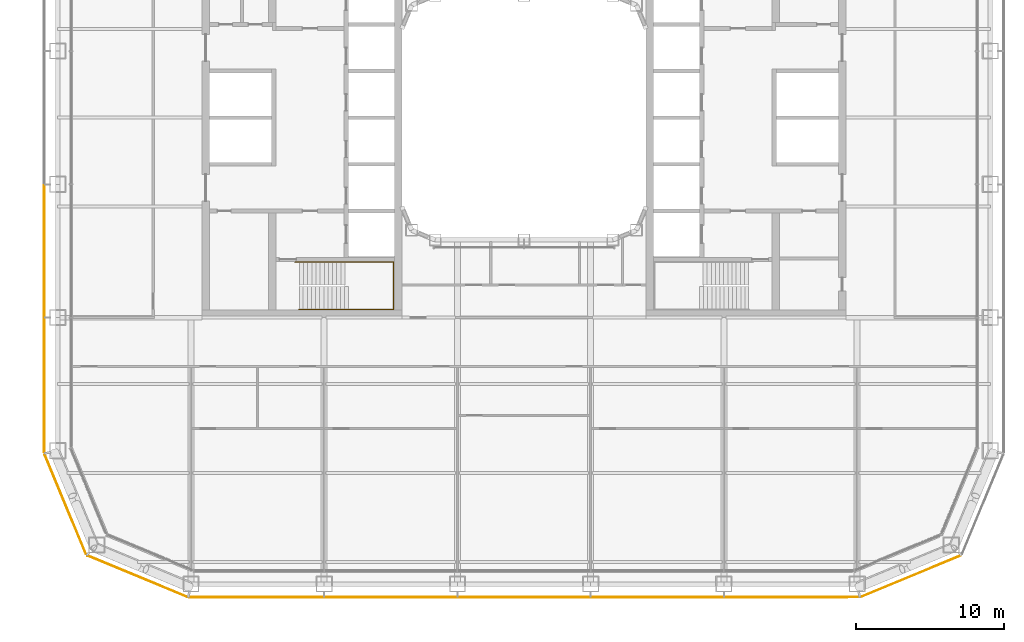
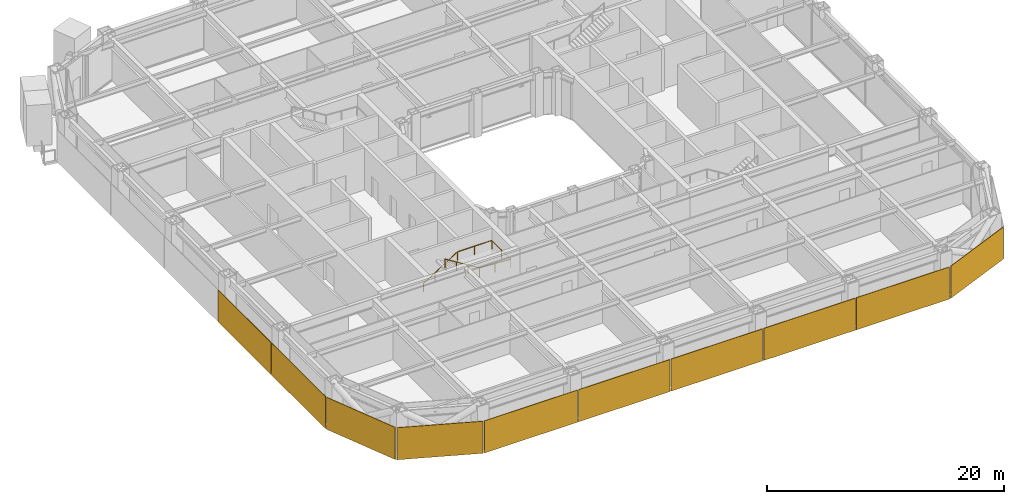
# One storey, part 24 of 29: 10 coverings, 1 railing.
"""IFC4 building model written with IfcOpenShell, lengths in metres."""

from ifc_helpers import new_model, si_unit, direction, frame, origin, origin_2d, place, context, subcontext, project, spatial, rectangle, circle, extrude, material, layer, layer_set, type_object, element, save


model = new_model("IFC4")

# Units and contexts
model_context = context("Model", 3, precision=1e-05, world=origin(), true_north=direction((0.0, 1.0)))
body_context = subcontext(model_context, "Body", "Model", "MODEL_VIEW")
ifc_project = project(units=[si_unit("LENGTHUNIT", "METRE"), si_unit("AREAUNIT", "SQUARE_METRE"), si_unit("VOLUMEUNIT", "CUBIC_METRE"), si_unit("PLANEANGLEUNIT", "RADIAN"), si_unit("MASSUNIT", "GRAM", prefix="KILO")], contexts=[model_context])

# Site, building, storey
site_placement = place(None, origin())
site = spatial("IfcSite", under=ifc_project, at=site_placement, CompositionType="ELEMENT")
building_placement = place(site_placement, origin())
building = spatial("IfcBuilding", under=site, at=building_placement, Name="Siwar Civic Tower", CompositionType="ELEMENT")
storey_placement = place(building_placement, frame((0.0, 0.0, 49.199951171875)))
storey = spatial("IfcBuildingStorey", under=building, at=storey_placement, Name="L10", CompositionType="ELEMENT", Elevation=49.199951171875)

# Railing
ifc_material_1 = material(Name="Stainless steel", Category="steel")
railing_type = type_object("IfcRailingType", Name="CORE-STAIR-HANDRAIL", PredefinedType="HANDRAIL", material=ifc_material_1)
railing_placement = place(storey_placement, frame((-15.449951171875, -9.758056640625, 0.173095703125)))
element("IfcRailing", 1, at=railing_placement, inside=storey, type_object=railing_type, Name="Stair handrail ST2", PredefinedType="HANDRAIL", context=body_context, shape_type="SweptSolid", body=[
    extrude(circle(Radius=0.02001953125, at=origin_2d()), frame((0.0, 0.0, 0.8798828125), z_axis=(0.847063342986, 0.0, 0.531491950051), x_axis=(0.0, 1.0, 0.0)), (0.0, 0.0, 1.0), 3.90771484375),
    extrude(circle(Radius=0.02001953125, at=origin_2d()), frame((3.31005859375, 0.0, 2.956787109375), z_axis=(1.0, 0.0, 0.0), x_axis=(0.0, 1.0, 0.0)), (0.0, 0.0, 1.0), 3.331787109375),
    extrude(circle(Radius=0.02001953125, at=origin_2d()), frame((6.641845703125, 0.0, 2.956787109375), z_axis=(0.0, -1.0, 0.0), x_axis=(1.0, 0.0, 0.0)), (0.0, 0.0, 1.0), 3.183837890625),
    extrude(circle(Radius=0.02001953125, at=origin_2d()), frame((6.641845703125, -3.183837890625, 2.956787109375), z_axis=(-0.99837434197, 0.0, 0.056997134106), x_axis=(0.0, -1.0, 0.0)), (0.0, 0.0, 1.0), 3.036865234375),
    extrude(circle(Radius=0.02001953125, at=origin_2d()), frame((3.60986328125, -3.183837890625, 3.1298828125), z_axis=(-0.850606129759, 0.0, 0.525803396734), x_axis=(0.0, -1.0, 0.0)), (0.0, 0.0, 1.0), 3.949951171875),
    extrude(circle(Radius=0.02001953125, at=origin_2d()), origin(), (0.0, 0.0, 1.0), 0.85986328125),
    extrude(circle(Radius=0.02001953125, at=origin_2d()), frame((1.103271484375, 0.0, 0.6923828125)), (0.0, 0.0, 1.0), 0.85986328125),
    extrude(circle(Radius=0.02001953125, at=origin_2d()), frame((2.206787109375, 0.0, 1.384521484375)), (0.0, 0.0, 1.0), 0.85986328125),
    extrude(circle(Radius=0.02001953125, at=origin_2d()), frame((3.31005859375, 0.0, 2.076904296875)), (0.0, 0.0, 1.0), 0.85986328125),
    extrude(circle(Radius=0.02001953125, at=origin_2d()), frame((4.97607421875, 0.0, 2.076904296875)), (0.0, 0.0, 1.0), 0.85986328125),
    extrude(circle(Radius=0.02001953125, at=origin_2d()), frame((6.641845703125, 0.0, 2.076904296875)), (0.0, 0.0, 1.0), 0.85986328125),
    extrude(circle(Radius=0.02001953125, at=origin_2d()), frame((6.641845703125, -1.591796875, 2.076904296875)), (0.0, 0.0, 1.0), 0.85986328125),
    extrude(circle(Radius=0.02001953125, at=origin_2d()), frame((6.641845703125, -3.183837890625, 2.076904296875)), (0.0, 0.0, 1.0), 0.85986328125),
    extrude(circle(Radius=0.02001953125, at=origin_2d()), frame((5.1259765625, -3.183837890625, 2.16357421875)), (0.0, 0.0, 1.0), 0.85986328125),
    extrude(circle(Radius=0.02001953125, at=origin_2d()), frame((3.60986328125, -3.183837890625, 2.25)), (0.0, 0.0, 1.0), 0.85986328125),
    extrude(circle(Radius=0.02001953125, at=origin_2d()), frame((2.489990234375, -3.183837890625, 2.9423828125)), (0.0, 0.0, 1.0), 0.85986328125),
    extrude(circle(Radius=0.02001953125, at=origin_2d()), frame((1.369873046875, -3.183837890625, 3.634521484375)), (0.0, 0.0, 1.0), 0.85986328125),
    extrude(circle(Radius=0.02001953125, at=origin_2d()), frame((0.25, -3.183837890625, 4.326904296875)), (0.0, 0.0, 1.0), 0.85986328125),
])

# Coverings
ifc_material_2 = material(Name="Perforated aluminium cassette, pale metal", Category="aluminium")
ifc_layer_1 = layer(ifc_material_2, 0.050048828125)
ifc_layer_set_1 = layer_set([ifc_layer_1], Name="Perforated aluminium cassette, pale metal")
covering_type_1 = type_object("IfcCoveringType", Name="ENV-OUTER SKIN OS-3", PredefinedType="CLADDING", material=ifc_layer_set_1)
covering_1_placement = place(storey_placement, frame((26.115966796875, -30.976318359375, -0.14990234375), z_axis=(0.0, 0.0, 1.0), x_axis=(0.923879532511, 0.382683432365, 0.0)))
element("IfcCovering", 2, at=covering_1_placement, inside=storey, type_object=covering_type_1, Name="OUTER SKIN OS-3 SE1 1", PredefinedType="CLADDING", context=body_context, shape_type="SweptSolid", body=[
    extrude(rectangle(XDim=7.300048828125, YDim=0.050048828125, at=origin_2d()), origin(), (0.0, 0.0, 1.0), 3.300048828125),
])
covering_2_placement = place(storey_placement, frame((-32.39990234375, -9.0, -0.14990234375), z_axis=(0.0, 0.0, 1.0), x_axis=(0.0, -1.0, 0.0)))
element("IfcCovering", 3, at=covering_2_placement, inside=storey, type_object=covering_type_1, Name="OUTER SKIN OS-3 W 4", PredefinedType="CLADDING", context=body_context, shape_type="SweptSolid", body=[
    extrude(rectangle(XDim=8.89990234375, YDim=0.050048828125, at=origin_2d()), origin(), (0.0, 0.0, 1.0), 3.300048828125),
])
covering_3_placement = place(storey_placement, frame((-32.39990234375, -18.07958984375, -0.14990234375), z_axis=(0.0, 0.0, 1.0), x_axis=(0.0, -1.0, 0.0)))
element("IfcCovering", 4, at=covering_3_placement, inside=storey, type_object=covering_type_1, Name="OUTER SKIN OS-3 W 5", PredefinedType="CLADDING", context=body_context, shape_type="SweptSolid", body=[
    extrude(rectangle(XDim=9.05908203125, YDim=0.050048828125, at=origin_2d()), origin(), (0.0, 0.0, 1.0), 3.300048828125),
])
ifc_material_3 = material(Name="Perforated aluminium cassette, pale metal", Category="aluminium")
ifc_layer_2 = layer(ifc_material_3, 0.054931640625)
ifc_layer_set_2 = layer_set([ifc_layer_2], Name="Perforated aluminium cassette, pale metal")
covering_type_2 = type_object("IfcCoveringType", Name="ENV-OUTER SKIN OS-4", PredefinedType="CLADDING", material=ifc_layer_set_2)
covering_4_placement = place(storey_placement, frame((-18.07958984375, -32.39990234375, -0.14990234375), z_axis=(0.0, 0.0, 1.0), x_axis=(1.0, 0.0, 0.0)))
element("IfcCovering", 5, at=covering_4_placement, inside=storey, type_object=covering_type_2, Name="OUTER SKIN OS-4 S 1", PredefinedType="CLADDING", context=body_context, shape_type="SweptSolid", body=[
    extrude(rectangle(XDim=9.05908203125, YDim=0.054931640625, at=origin_2d()), origin(), (0.0, 0.0, 1.0), 3.300048828125),
])
for number, where, z_axis, x_axis, name in (
    (6, (-9.0, -32.39990234375, -0.14990234375), (0.0, 0.0, 1.0), (1.0, 0.0, 0.0), "OUTER SKIN OS-4 S 2"),
    (7, (0.0, -32.39990234375, -0.14990234375), (0.0, 0.0, 1.0), (1.0, 0.0, 0.0), "OUTER SKIN OS-4 S 3"),
    (8, (9.0, -32.39990234375, -0.14990234375), (0.0, 0.0, 1.0), (1.0, 0.0, 0.0), "OUTER SKIN OS-4 S 4"),
):
    element("IfcCovering", number, at=place(storey_placement, frame(where, z_axis=z_axis, x_axis=x_axis)), inside=storey, type_object=covering_type_2, Name=name, PredefinedType="CLADDING", context=body_context, shape_type="SweptSolid", body=[
        extrude(rectangle(XDim=8.89990234375, YDim=0.054931640625, at=origin_2d()), origin(), (0.0, 0.0, 1.0), 3.300048828125),
    ])
covering_5_placement = place(storey_placement, frame((18.07958984375, -32.39990234375, -0.14990234375), z_axis=(0.0, 0.0, 1.0), x_axis=(1.0, 0.0, 0.0)))
element("IfcCovering", 9, at=covering_5_placement, inside=storey, type_object=covering_type_2, Name="OUTER SKIN OS-4 S 5", PredefinedType="CLADDING", context=body_context, shape_type="SweptSolid", body=[
    extrude(rectangle(XDim=9.05908203125, YDim=0.054931640625, at=origin_2d()), origin(), (0.0, 0.0, 1.0), 3.300048828125),
])
for number, where, z_axis, x_axis, name in (
    (10, (-30.976318359375, -26.115966796875, -0.14990234375), (0.0, 0.0, 1.0), (0.382683432365, -0.923879532511, 0.0), "OUTER SKIN OS-4 SW1 1"),
    (11, (-26.115966796875, -30.976318359375, -0.14990234375), (0.0, 0.0, 1.0), (0.923879532511, -0.382683432365, 0.0), "OUTER SKIN OS-4 SW2 1"),
):
    element("IfcCovering", number, at=place(storey_placement, frame(where, z_axis=z_axis, x_axis=x_axis)), inside=storey, type_object=covering_type_2, Name=name, PredefinedType="CLADDING", context=body_context, shape_type="SweptSolid", body=[
        extrude(rectangle(XDim=7.300048828125, YDim=0.054931640625, at=origin_2d()), origin(), (0.0, 0.0, 1.0), 3.300048828125),
    ])

save(model, "model.ifc")
